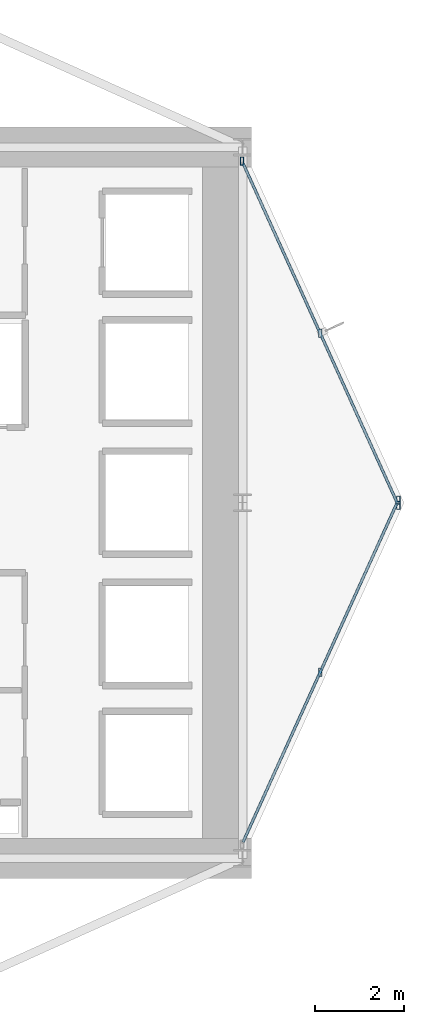
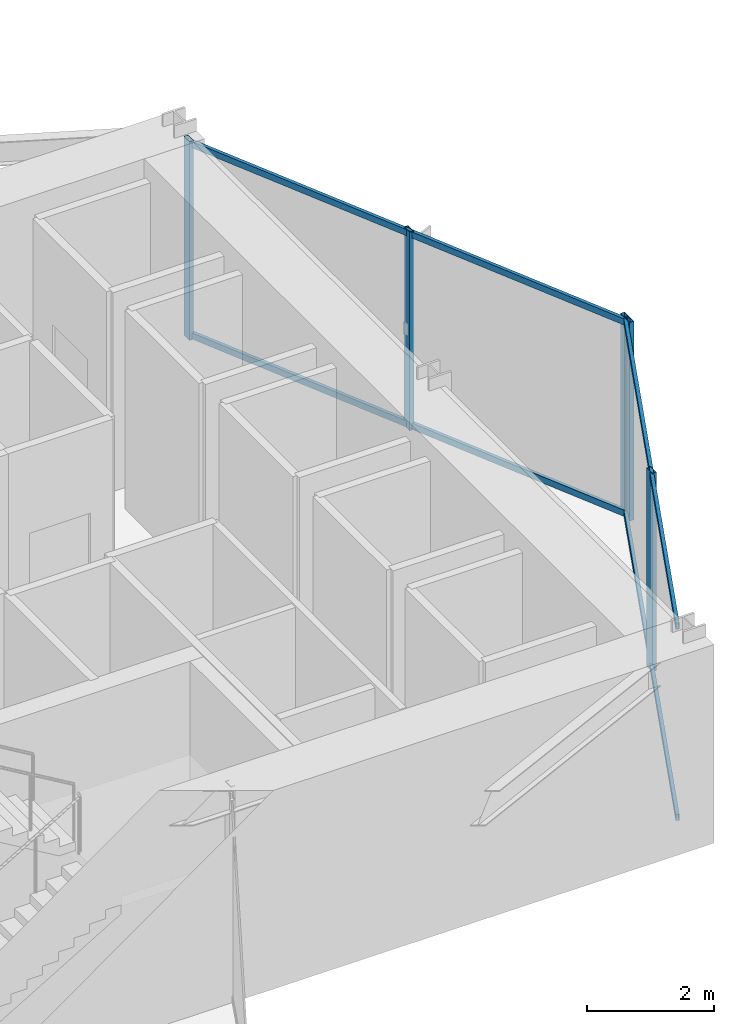
# One storey, part 15 of 24: 9 members, 2 elements without a shape of their own.
"""IFC4 building model written with IfcOpenShell, lengths in metres."""

from ifc_helpers import new_model, si_unit, direction, frame, origin, origin_2d, place, context, subcontext, project, spatial, hollow_rectangle, extrude, material, layer, layer_set, material_profile, profile_set, type_object, element, aggregate, save


model = new_model("IFC4")

# Units and contexts
model_context = context("Model", 3, precision=1e-05, world=origin(), true_north=direction((0.0, 1.0)))
body_context = subcontext(model_context, "Body", "Model", "MODEL_VIEW")
ifc_project = project(units=[si_unit("LENGTHUNIT", "METRE"), si_unit("AREAUNIT", "SQUARE_METRE"), si_unit("VOLUMEUNIT", "CUBIC_METRE"), si_unit("PLANEANGLEUNIT", "RADIAN"), si_unit("MASSUNIT", "GRAM", prefix="KILO")], contexts=[model_context])

# Site, building, storey
site_placement = place(None, origin())
site = spatial("IfcSite", under=ifc_project, at=site_placement, CompositionType="ELEMENT")
building_placement = place(site_placement, origin())
building = spatial("IfcBuilding", under=site, at=building_placement, Name="Veymaron Broadcast Tower", CompositionType="ELEMENT")
storey_placement = place(building_placement, frame((0.0, 0.0, 98.550048828125)))
storey = spatial("IfcBuildingStorey", under=building, at=storey_placement, Name="L22", CompositionType="ELEMENT", Elevation=98.550048828125)

# Curtain wall, members
ifc_material_1 = material(Name="Anodised aluminium AA 6063-T6 and laminated low-E dark glass", Category="aluminium")
ifc_layer = layer(ifc_material_1, 0.179931640625)
ifc_layer_set = layer_set([ifc_layer], Name="Anodised aluminium AA 6063-T6 and laminated low-E dark glass")
curtain_wall_type = type_object("IfcCurtainWallType", Name="CW-SYS-02", PredefinedType="NOTDEFINED", material=ifc_layer_set)
curtain_wall_1_placement = place(storey_placement, origin())
curtain_wall_1 = element("IfcCurtainWall", 1, at=curtain_wall_1_placement, inside=storey, type_object=curtain_wall_type, Name="L22 dark-glass curtain wall CW-L22-E2-1", PredefinedType="NOTDEFINED")
ifc_material_2 = material(Name="Anodised aluminium AA 6063-T6", Category="aluminium")
ifc_material_profile_1 = material_profile(ifc_material_2, hollow_rectangle(XDim=0.074951171875, YDim=0.179931640625, WallThickness=0.0048828125, at=origin_2d()), Name="AL180X75X5")
ifc_profile_set_1 = profile_set([ifc_material_profile_1], Name="Anodised aluminium AA 6063-T6")
member_type_1 = type_object("IfcMemberType", Name="CW-MUL-02", PredefinedType="MULLION", material=ifc_profile_set_1)
member_1_placement = place(storey_placement, frame((56.347412109375, 20.1865234375, 0.0), z_axis=(0.0, 0.0, 1.0), x_axis=(1.0, 0.0, 0.0)))
member_1 = element("IfcMember", 2, at=member_1_placement, type_object=member_type_1, Name="CW-L22-E2-1 mullion 1", PredefinedType="MULLION", context=body_context, shape_type="SweptSolid", body=[
    extrude(hollow_rectangle(XDim=0.074951171875, YDim=0.179931640625, WallThickness=0.0048828125, at=origin_2d()), origin(), (0.0, 0.0, 1.0), 3.81005859375),
])
member_2_placement = place(storey_placement, frame((58.10546875, 24.057861328125, 0.0), z_axis=(0.0, 0.0, 1.0), x_axis=(1.0, 0.0, 0.0)))
member_2 = element("IfcMember", 3, at=member_2_placement, type_object=member_type_1, Name="CW-L22-E2-1 mullion 2", PredefinedType="MULLION", context=body_context, shape_type="SweptSolid", body=[
    extrude(hollow_rectangle(XDim=0.074951171875, YDim=0.179931640625, WallThickness=0.0048828125, at=origin_2d()), origin(), (0.0, 0.0, 1.0), 3.81005859375),
])

curtain_wall_2_placement = place(storey_placement, origin())
curtain_wall_2 = element("IfcCurtainWall", 4, at=curtain_wall_2_placement, inside=storey, type_object=curtain_wall_type, Name="L22 dark-glass curtain wall CW-L22-E3-1", PredefinedType="NOTDEFINED")
member_3_placement = place(storey_placement, frame((58.10546875, 23.942138671875, 0.0), z_axis=(0.0, 0.0, 1.0), x_axis=(1.0, 0.0, 0.0)))
member_3 = element("IfcMember", 5, at=member_3_placement, type_object=member_type_1, Name="CW-L22-E3-1 mullion 0", PredefinedType="MULLION", context=body_context, shape_type="SweptSolid", body=[
    extrude(hollow_rectangle(XDim=0.074951171875, YDim=0.179931640625, WallThickness=0.0048828125, at=origin_2d()), origin(), (0.0, 0.0, 1.0), 3.81005859375),
])
member_4_placement = place(storey_placement, frame((56.347412109375, 27.8134765625, 0.0), z_axis=(0.0, 0.0, 1.0), x_axis=(1.0, 0.0, 0.0)))
member_4 = element("IfcMember", 6, at=member_4_placement, type_object=member_type_1, Name="CW-L22-E3-1 mullion 1", PredefinedType="MULLION", context=body_context, shape_type="SweptSolid", body=[
    extrude(hollow_rectangle(XDim=0.074951171875, YDim=0.179931640625, WallThickness=0.0048828125, at=origin_2d()), origin(), (0.0, 0.0, 1.0), 3.81005859375),
])
member_5_placement = place(storey_placement, frame((54.58935546875, 31.684814453125, 0.0), z_axis=(0.0, 0.0, 1.0), x_axis=(1.0, 0.0, 0.0)))
member_5 = element("IfcMember", 7, at=member_5_placement, type_object=member_type_1, Name="CW-L22-E3-1 mullion 2", PredefinedType="MULLION", context=body_context, shape_type="SweptSolid", body=[
    extrude(hollow_rectangle(XDim=0.074951171875, YDim=0.179931640625, WallThickness=0.0048828125, at=origin_2d()), origin(), (0.0, 0.0, 1.0), 3.81005859375),
])

# Member
ifc_material_profile_2 = material_profile(ifc_material_2, hollow_rectangle(XDim=0.06005859375, YDim=0.1201171875, WallThickness=0.00390625, at=origin_2d()), Name="AL120X60X4")
ifc_profile_set_2 = profile_set([ifc_material_profile_2], Name="Anodised aluminium AA 6063-T6")
member_type_2 = type_object("IfcMemberType", Name="CW-TRN-02", PredefinedType="USERDEFINED", material=ifc_profile_set_2)
member_6_placement = place(storey_placement, frame((54.610107421875, 16.360595703125, 0.070068359375), z_axis=(0.413457085435, 0.91052360678, 0.0), x_axis=(-0.91052360678, 0.413457085435, 0.0)))
member_6 = element("IfcMember", 8, at=member_6_placement, type_object=member_type_2, Name="CW-L22-E2-1 transom B", ObjectType="TRANSOM", PredefinedType="USERDEFINED", context=body_context, shape_type="SweptSolid", body=[
    extrude(hollow_rectangle(XDim=0.06005859375, YDim=0.1201171875, WallThickness=0.00390625, at=origin_2d()), origin(), (0.0, 0.0, 1.0), 8.40380859375),
])

member_7_placement = place(storey_placement, frame((54.610107421875, 16.360595703125, 3.739990234375), z_axis=(0.413457085435, 0.91052360678, 0.0), x_axis=(-0.91052360678, 0.413457085435, 0.0)))
member_7 = element("IfcMember", 9, at=member_7_placement, type_object=member_type_2, Name="CW-L22-E2-1 transom T", ObjectType="TRANSOM", PredefinedType="USERDEFINED", context=body_context, shape_type="SweptSolid", body=[
    extrude(hollow_rectangle(XDim=0.06005859375, YDim=0.1201171875, WallThickness=0.00390625, at=origin_2d()), origin(), (0.0, 0.0, 1.0), 8.40380859375),
])

aggregate(curtain_wall_1, [member_1, member_2, member_6, member_7])

member_8_placement = place(storey_placement, frame((58.084716796875, 23.987548828125, 0.070068359375), z_axis=(-0.413457085435, 0.91052360678, 0.0), x_axis=(-0.91052360678, -0.413457085435, 0.0)))
member_8 = element("IfcMember", 10, at=member_8_placement, type_object=member_type_2, Name="CW-L22-E3-1 transom B", ObjectType="TRANSOM", PredefinedType="USERDEFINED", context=body_context, shape_type="SweptSolid", body=[
    extrude(hollow_rectangle(XDim=0.06005859375, YDim=0.1201171875, WallThickness=0.00390625, at=origin_2d()), origin(), (0.0, 0.0, 1.0), 8.40380859375),
])

member_9_placement = place(storey_placement, frame((58.084716796875, 23.987548828125, 3.739990234375), z_axis=(-0.413457085435, 0.91052360678, 0.0), x_axis=(-0.91052360678, -0.413457085435, 0.0)))
member_9 = element("IfcMember", 11, at=member_9_placement, type_object=member_type_2, Name="CW-L22-E3-1 transom T", ObjectType="TRANSOM", PredefinedType="USERDEFINED", context=body_context, shape_type="SweptSolid", body=[
    extrude(hollow_rectangle(XDim=0.06005859375, YDim=0.1201171875, WallThickness=0.00390625, at=origin_2d()), origin(), (0.0, 0.0, 1.0), 8.40380859375),
])

aggregate(curtain_wall_2, [member_3, member_4, member_5, member_8, member_9])

save(model, "model.ifc")
